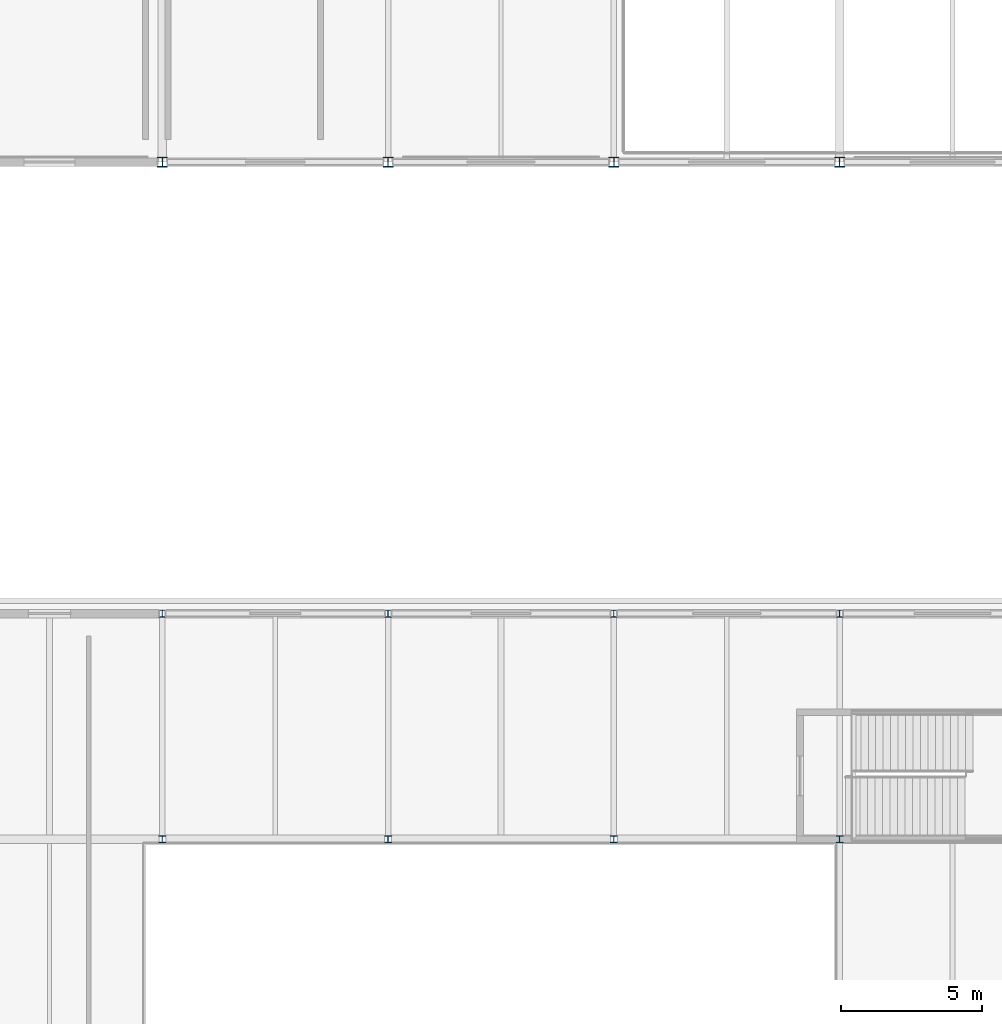
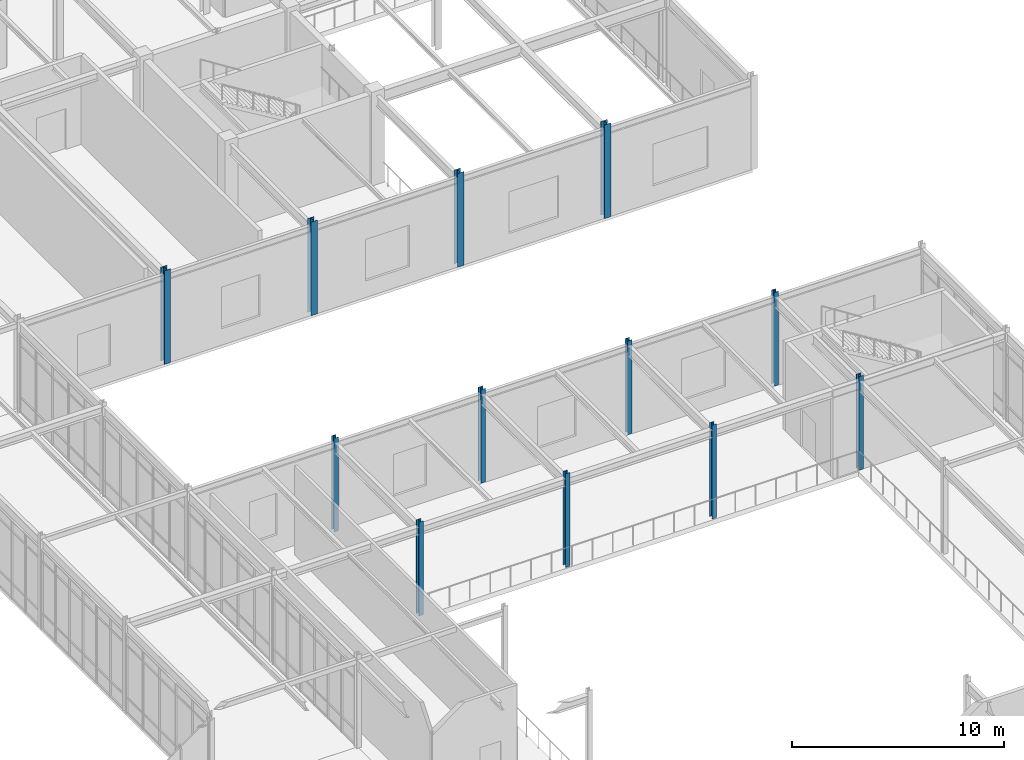
# One storey, part 22 of 184: 12 columns.
"""IFC4 building model written with IfcOpenShell, lengths in metres."""

from ifc_helpers import new_model, si_unit, direction, frame, origin, origin_2d, place, context, subcontext, project, spatial, i_section, extrude, material, material_profile, profile_set, type_object, element, save


model = new_model("IFC4")

# Units and contexts
model_context = context("Model", 3, precision=1e-05, world=origin(), true_north=direction((0.0, 1.0)))
body_context = subcontext(model_context, "Body", "Model", "MODEL_VIEW")
ifc_project = project(units=[si_unit("LENGTHUNIT", "METRE"), si_unit("AREAUNIT", "SQUARE_METRE"), si_unit("VOLUMEUNIT", "CUBIC_METRE"), si_unit("PLANEANGLEUNIT", "RADIAN"), si_unit("MASSUNIT", "GRAM", prefix="KILO")], contexts=[model_context])

# Site, building, storey
site_placement = place(None, origin())
site = spatial("IfcSite", under=ifc_project, at=site_placement, CompositionType="ELEMENT")
building_placement = place(site_placement, origin())
building = spatial("IfcBuilding", under=site, at=building_placement, Name="Zhaolan Boulevard Law Courts", CompositionType="ELEMENT")
storey_placement = place(building_placement, frame((0.0, 0.0, 5.39990234375)))
storey = spatial("IfcBuildingStorey", under=building, at=storey_placement, Name="L01", CompositionType="ELEMENT", Elevation=5.39990234375)

# Columns
ifc_material_1 = material(Name="Structural steel Q355B", Category="steel")
ifc_material_profile_1 = material_profile(ifc_material_1, i_section(OverallWidth=0.25, OverallDepth=0.25, WebThickness=0.009033203125, FlangeThickness=0.013916015625, FilletRadius=0.01611328125, at=origin_2d()), Name="HW250x250")
ifc_profile_set_1 = profile_set([ifc_material_profile_1], Name="Structural steel Q355B")
column_type_1 = type_object("IfcColumnType", Name="COL HW250", PredefinedType="COLUMN", material=ifc_profile_set_1)
for number, where, z_axis, x_axis, name in (
    (1, (132.0, 38.0, 0.0), (0.0, 0.0, 1.0), (1.0, 0.0, 0.0), "Column C-17F (L01)"),
    (2, (132.0, 46.0, 0.0), (0.0, 0.0, 1.0), (1.0, 0.0, 0.0), "Column C-17G (L01)"),
    (3, (140.0, 38.0, 0.0), (0.0, 0.0, 1.0), (1.0, 0.0, 0.0), "Column C-18F (L01)"),
    (4, (140.0, 46.0, 0.0), (0.0, 0.0, 1.0), (1.0, 0.0, 0.0), "Column C-18G (L01)"),
    (5, (148.0, 38.0, 0.0), (0.0, 0.0, 1.0), (1.0, 0.0, 0.0), "Column C-19F (L01)"),
    (6, (148.0, 46.0, 0.0), (0.0, 0.0, 1.0), (1.0, 0.0, 0.0), "Column C-19G (L01)"),
    (7, (156.0, 38.0, 0.0), (0.0, 0.0, 1.0), (1.0, 0.0, 0.0), "Column C-20F (L01)"),
    (8, (156.0, 46.0, 0.0), (0.0, 0.0, 1.0), (1.0, 0.0, 0.0), "Column C-20G (L01)"),
):
    element("IfcColumn", number, at=place(storey_placement, frame(where, z_axis=z_axis, x_axis=x_axis)), inside=storey, type_object=column_type_1, Name=name, PredefinedType="COLUMN", context=body_context, shape_type="SweptSolid", body=[
        extrude(i_section(OverallWidth=0.25, OverallDepth=0.25, WebThickness=0.009033203125, FlangeThickness=0.013916015625, FilletRadius=0.01611328125, at=origin_2d()), origin(), (0.0, 0.0, 1.0), 5.400146484375),
    ])
ifc_material_2 = material(Name="Structural steel Q355B", Category="steel")
ifc_material_profile_2 = material_profile(ifc_material_2, i_section(OverallWidth=0.35009765625, OverallDepth=0.35009765625, WebThickness=0.011962890625, FlangeThickness=0.01904296875, FilletRadius=0.02001953125, at=origin_2d()), Name="HW350x350")
ifc_profile_set_2 = profile_set([ifc_material_profile_2], Name="Structural steel Q355B")
column_type_2 = type_object("IfcColumnType", Name="COL HW350", PredefinedType="COLUMN", material=ifc_profile_set_2)
for number, where, z_axis, x_axis, name in (
    (9, (132.0, 62.0, 0.0), (0.0, 0.0, 1.0), (1.0, 0.0, 0.0), "Column C-17J (L01)"),
    (10, (140.0, 62.0, 0.0), (0.0, 0.0, 1.0), (1.0, 0.0, 0.0), "Column C-18J (L01)"),
    (11, (148.0, 62.0, 0.0), (0.0, 0.0, 1.0), (1.0, 0.0, 0.0), "Column C-19J (L01)"),
    (12, (156.0, 62.0, 0.0), (0.0, 0.0, 1.0), (1.0, 0.0, 0.0), "Column C-20J (L01)"),
):
    element("IfcColumn", number, at=place(storey_placement, frame(where, z_axis=z_axis, x_axis=x_axis)), inside=storey, type_object=column_type_2, Name=name, PredefinedType="COLUMN", context=body_context, shape_type="SweptSolid", body=[
        extrude(i_section(OverallWidth=0.35009765625, OverallDepth=0.35009765625, WebThickness=0.011962890625, FlangeThickness=0.01904296875, FilletRadius=0.02001953125, at=origin_2d()), origin(), (0.0, 0.0, 1.0), 5.400146484375),
    ])

save(model, "model.ifc")
